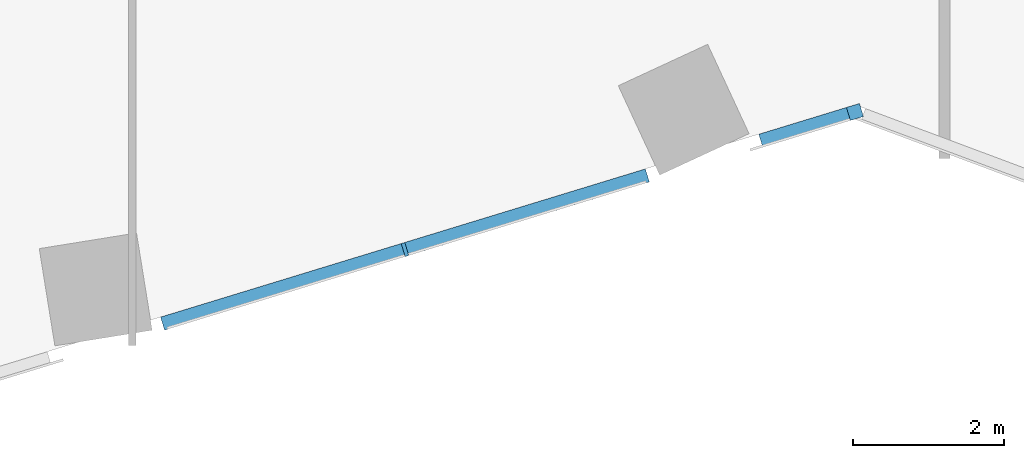
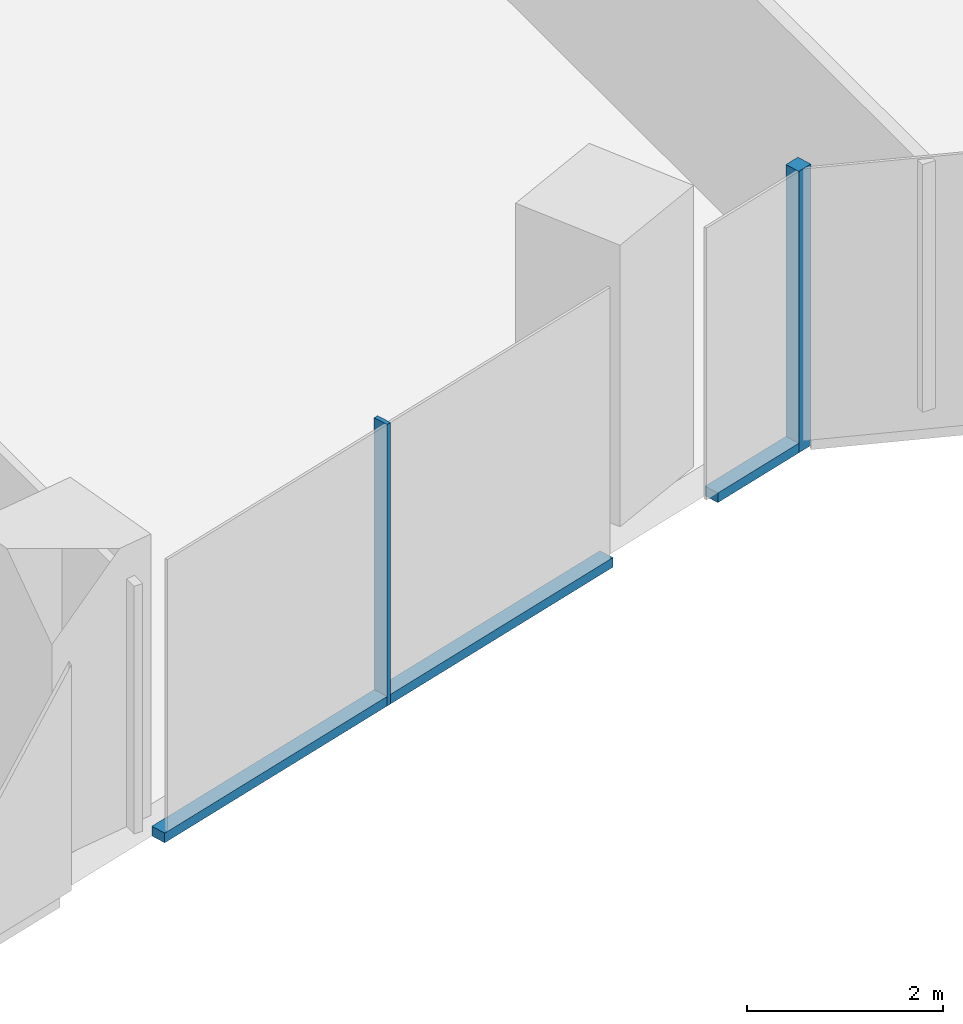
# One storey, part 6 of 31: 4 members, 1 element without a shape of its own.
"""IFC4 building model written with IfcOpenShell, lengths in metres."""

import ifcopenshell
import ifcopenshell.guid

model = None  # the IFC model being written
_history = None  # IfcOwnerHistory: only IFC2X3 demands one
_inside = {}  # id of a spatial element -> (the spatial element, [elements in it])
_under = {}  # id of a project, library or spatial element -> (it, [spatial elements below it])
_declared = {}  # id of a project -> (the project, [libraries it declares])
_typed = {}  # id of a type object -> (the type object, [elements of that type])
_made_of = {}  # id of a material, layer set ... -> (it, [elements and type objects made of it])


def new_model(schema):
    """Start an empty IFC model of exactly this schema.

    Asked for "IFC4X3", IfcOpenShell would pick the latest addendum, in which some entities
    have other attributes; the version numbers below select the first issue.
    IFC2X3 requires an IfcOwnerHistory on every rooted entity: one is made here for all.
    """
    global model, _history
    if schema == "IFC4X3":
        model = ifcopenshell.file(schema_version=(4, 3, 0, 0))
    else:
        model = ifcopenshell.file(schema=schema)
    _inside.clear()
    _under.clear()
    _declared.clear()
    _typed.clear()
    _made_of.clear()
    _history = None
    if model.schema == "IFC2X3":
        org = make("IfcOrganization", Name="unknown")
        user = make(
            "IfcPersonAndOrganization",
            ThePerson=make("IfcPerson", FamilyName="unknown"),
            TheOrganization=org,
        )
        app = make(
            "IfcApplication",
            ApplicationDeveloper=org,
            Version="unknown",
            ApplicationFullName="unknown",
            ApplicationIdentifier="unknown",
        )
        _history = make(
            "IfcOwnerHistory",
            OwningUser=user,
            OwningApplication=app,
            ChangeAction="ADDED",
            CreationDate=0,
        )
    return model


def make(cls, **values):
    """One entity of the class cls with the attributes given. An attribute that is None is left unset."""
    return model.create_entity(
        cls, **{name: value for name, value in values.items() if value is not None}
    )


def rooted(cls, **values):
    """An entity with a GlobalId (a new one), such as an element, a storey or a relation."""
    return make(cls, GlobalId=ifcopenshell.guid.new(), OwnerHistory=_history, **values)


def si_unit(unit_type, name, prefix=None):
    """IfcSIUnit, for example si_unit("LENGTHUNIT", "METRE", prefix="MILLI")."""
    return make("IfcSIUnit", UnitType=unit_type, Prefix=prefix, Name=name)


def assignment(units):
    """IfcUnitAssignment: the units of a project."""
    return None if units is None else make("IfcUnitAssignment", Units=units)


def point(xyz):
    """IfcCartesianPoint."""
    return None if xyz is None else make("IfcCartesianPoint", Coordinates=xyz)


def direction(xyz):
    """IfcDirection."""
    return None if xyz is None else make("IfcDirection", DirectionRatios=xyz)


def frame(location, z_axis=None, x_axis=None):
    """IfcAxis2Placement3D, a coordinate frame: its origin and axes. An axis left out is left unset."""
    return make(
        "IfcAxis2Placement3D",
        Location=point(location),
        Axis=direction(z_axis),
        RefDirection=direction(x_axis),
    )


def frame_2d(location, x_axis=None):
    """IfcAxis2Placement2D, a coordinate frame in the plane: its origin and x axis."""
    return make(
        "IfcAxis2Placement2D", Location=point(location), RefDirection=direction(x_axis)
    )


def origin():
    """The frame at (0, 0, 0) with its axes left unset."""
    return frame((0.0, 0.0, 0.0))


def origin_2d():
    """The frame at (0, 0) in the plane with its x axis left unset."""
    return frame_2d((0.0, 0.0))


def place(relative_to, where):
    """IfcLocalPlacement: puts the frame where relative to a parent placement (None: the world)."""
    return make(
        "IfcLocalPlacement", PlacementRelTo=relative_to, RelativePlacement=where
    )


def context(
    kind, dimensions, precision=None, world=None, true_north=None, identifier=None
):
    """IfcGeometricRepresentationContext, for example the 3D "Model" context."""
    return make(
        "IfcGeometricRepresentationContext",
        ContextIdentifier=identifier,
        ContextType=kind,
        CoordinateSpaceDimension=dimensions,
        Precision=precision,
        WorldCoordinateSystem=world,
        TrueNorth=true_north,
    )


def subcontext(parent, identifier, kind, view, scale=None):
    """IfcGeometricRepresentationSubContext, for example "Body" below "Model"."""
    return make(
        "IfcGeometricRepresentationSubContext",
        ContextIdentifier=identifier,
        ContextType=kind,
        ParentContext=parent,
        TargetScale=scale,
        TargetView=view,
    )


def project(units=None, contexts=None):
    """IfcProject with its units and contexts."""
    return rooted(
        "IfcProject",
        Name="project",
        RepresentationContexts=contexts,
        UnitsInContext=assignment(units),
    )


def spatial(cls, under=None, at=None, **own):
    """A site, building, storey or space (cls), placed at a placement, below another one or the project."""
    s = rooted(cls, ObjectPlacement=at, **own)
    if under is not None:
        _under.setdefault(under.id(), (under, []))[1].append(s)
    return s


def profile(cls, at=None, kind="AREA", **sizes):
    """A parametric profile (cls). Its sizes go by their IFC names, for example OverallWidth=200.0."""
    return make(cls, ProfileType=kind, Position=at, **sizes)


def rectangle(**sizes):
    """IfcRectangleProfileDef."""
    return profile("IfcRectangleProfileDef", **sizes)


def extrude(swept, where, along, depth):
    """IfcExtrudedAreaSolid: the profile swept, set in the frame where, extruded along a direction by depth."""
    return make(
        "IfcExtrudedAreaSolid",
        SweptArea=swept,
        Position=where,
        ExtrudedDirection=direction(along),
        Depth=depth,
    )


def shape(context_of_items, identifier, shape_type, items):
    """IfcShapeRepresentation: the items that make up one representation, for example the "Body"."""
    return make(
        "IfcShapeRepresentation",
        ContextOfItems=context_of_items,
        RepresentationIdentifier=identifier,
        RepresentationType=shape_type,
        Items=items,
    )


def material(Name=None, Category=None):
    """IfcMaterial."""
    return make("IfcMaterial", Name=Name, Category=Category)


def material_profile(
    of_material, cross_section, Name=None, Category=None, Priority=None
):
    """IfcMaterialProfile: a cross section and its material."""
    return make(
        "IfcMaterialProfile",
        Name=Name,
        Material=of_material,
        Profile=cross_section,
        Priority=Priority,
        Category=Category,
    )


def profile_set(profiles, Name=None, composite=None):
    """IfcMaterialProfileSet."""
    return make(
        "IfcMaterialProfileSet",
        Name=Name,
        MaterialProfiles=profiles,
        CompositeProfile=composite,
    )


def made_of(thing, what):
    """Note that an element or type object is made of a material, layer set ...; save() writes the relation."""
    if what is not None:
        _made_of.setdefault(what.id(), (what, []))[1].append(thing)
    return thing


def type_object(cls, material=None, **own):
    """A type object (cls), such as IfcWallType, which elements share."""
    return made_of(rooted(cls, **own), material)


def element(
    cls,
    number,
    at=None,
    inside=None,
    cuts=None,
    type_object=None,
    material=None,
    context=None,
    identifier="Body",
    shape_type=None,
    held_by="IfcProductDefinitionShape",
    body=None,
    shapes=None,
    **own,
):
    """One element of the class cls, such as IfcWall. Its Tag is "e" and its number.

    at: its placement. inside: the storey or other place that contains it. cuts: it is an
    opening in that element (IfcRelVoidsElement). A single representation is given by context,
    identifier, shape_type and body (its items); several are given by shapes. held_by: the class
    of the entity that holds the representations. save() writes the other relations.
    """
    e = rooted(cls, Tag="e%d" % number, ObjectPlacement=at, **own)
    if body is not None:
        shapes = [shape(context, identifier, shape_type, body)]
    if shapes is not None:
        e.Representation = make(held_by, Representations=shapes)
    if inside is not None:
        _inside.setdefault(inside.id(), (inside, []))[1].append(e)
    if cuts is not None:
        rooted(
            "IfcRelVoidsElement", RelatingBuildingElement=cuts, RelatedOpeningElement=e
        )
    if type_object is not None:
        _typed.setdefault(type_object.id(), (type_object, []))[1].append(e)
    return made_of(e, material)


def aggregate(whole, parts):
    """IfcRelAggregates: a whole, such as a stair, and the parts it consists of."""
    return rooted("IfcRelAggregates", RelatingObject=whole, RelatedObjects=parts)


def save(model, path):
    """Write the relations noted so far, then the file.

    IfcRelAggregates (storeys below a building ...), IfcRelContainedInSpatialStructure (elements
    in a storey), IfcRelDefinesByType, IfcRelAssociatesMaterial and IfcRelDeclares: one each for
    every whole, place, type object, material and project.
    """
    for whole, parts in _under.values():
        aggregate(whole, parts)
    for where, things in _inside.values():
        rooted(
            "IfcRelContainedInSpatialStructure",
            RelatedElements=things,
            RelatingStructure=where,
        )
    for kind, things in _typed.values():
        rooted("IfcRelDefinesByType", RelatedObjects=things, RelatingType=kind)
    for what, things in _made_of.values():
        rooted("IfcRelAssociatesMaterial", RelatedObjects=things, RelatingMaterial=what)
    for by, libraries in _declared.values():
        rooted("IfcRelDeclares", RelatingContext=by, RelatedDefinitions=libraries)
    model.write(path)


model = new_model("IFC4")

# Units and contexts
model_context = context("Model", 3, precision=1e-05, world=origin(), true_north=direction((0.0, 1.0)))
body_context = subcontext(model_context, "Body", "Model", "MODEL_VIEW")
ifc_project = project(units=[si_unit("LENGTHUNIT", "METRE"), si_unit("AREAUNIT", "SQUARE_METRE"), si_unit("VOLUMEUNIT", "CUBIC_METRE"), si_unit("PLANEANGLEUNIT", "RADIAN"), si_unit("MASSUNIT", "GRAM", prefix="KILO")], contexts=[model_context])

# Site, building, storey
site_placement = place(None, origin())
site = spatial("IfcSite", under=ifc_project, at=site_placement, CompositionType="ELEMENT")
building_placement = place(site_placement, origin())
building = spatial("IfcBuilding", under=site, at=building_placement, Name="Orlundy Tower", CompositionType="ELEMENT")
storey_placement = place(building_placement, frame((0.0, 0.0, 84.199951171875)))
storey = spatial("IfcBuildingStorey", under=building, at=storey_placement, Name="L20", CompositionType="ELEMENT", Elevation=84.199951171875)

# Curtain wall, members
ifc_material_1 = material(Name="Aluminium bronze anodised", Category="aluminium")
curtain_wall_type = type_object("IfcCurtainWallType", Name="CW1 wall", PredefinedType="NOTDEFINED", material=ifc_material_1)
curtain_wall_placement = place(storey_placement, origin())
curtain_wall = element("IfcCurtainWall", 1, at=curtain_wall_placement, inside=storey, type_object=curtain_wall_type, Name="CW1 run 017", PredefinedType="NOTDEFINED")
ifc_material_2 = material(Name="Aluminium bronze anodised", Category="aluminium")
ifc_material_profile_1 = material_profile(ifc_material_2, rectangle(XDim=0.179931640625, YDim=0.179931640625, at=origin_2d()), Name="CW1 corner post 180x180")
ifc_profile_set_1 = profile_set([ifc_material_profile_1], Name="Aluminium bronze anodised")
member_type_1 = type_object("IfcMemberType", Name="CW1 corner post 180x180", PredefinedType="MULLION", material=ifc_profile_set_1)
member_1_placement = place(storey_placement, frame((14.739013671875, -26.958984375, -0.39990234375), z_axis=(0.0, 0.0, 1.0), x_axis=(0.292318233228, -0.956321102205, 0.0)))
member_1 = element("IfcMember", 2, at=member_1_placement, type_object=member_type_1, Name="CW1 mullion 49", PredefinedType="MULLION", context=body_context, shape_type="SweptSolid", body=[
    extrude(rectangle(XDim=0.179931640625, YDim=0.179931640625, at=origin_2d()), origin(), (0.0, 0.0, 1.0), 3.5),
])
ifc_material_3 = material(Name="Aluminium bronze anodised", Category="aluminium")
ifc_material_profile_2 = material_profile(ifc_material_3, rectangle(XDim=0.179931640625, YDim=0.050048828125, at=origin_2d()), Name="CW1 mullion 50x180")
ifc_profile_set_2 = profile_set([ifc_material_profile_2], Name="Aluminium bronze anodised")
member_type_2 = type_object("IfcMemberType", Name="CW1 mullion 50x180", PredefinedType="MULLION", material=ifc_profile_set_2)
member_2_placement = place(storey_placement, frame((8.7978515625, -28.775146484375, -0.39990234375), z_axis=(0.0, 0.0, 1.0), x_axis=(0.292318233228, -0.956321102205, 0.0)))
member_2 = element("IfcMember", 3, at=member_2_placement, type_object=member_type_2, Name="CW1 mullion 50", PredefinedType="MULLION", context=body_context, shape_type="SweptSolid", body=[
    extrude(rectangle(XDim=0.179931640625, YDim=0.050048828125, at=origin_2d()), origin(), (0.0, 0.0, 1.0), 3.5),
])
ifc_material_4 = material(Name="Aluminium bronze anodised", Category="aluminium")
ifc_material_profile_3 = material_profile(ifc_material_4, rectangle(XDim=0.179931640625, YDim=0.1201171875, at=origin_2d()), Name="CW1 transom 180x120")
ifc_profile_set_3 = profile_set([ifc_material_profile_3], Name="Aluminium bronze anodised")
member_type_3 = type_object("IfcMemberType", Name="CW1 transom 180x120", PredefinedType="USERDEFINED", material=ifc_profile_set_3)
member_3_placement = place(storey_placement, frame((14.653076171875, -26.9853515625, -0.33984375), z_axis=(-0.956335900786, -0.292269815183, 0.0), x_axis=(0.292269815183, -0.956335900786, 0.0)))
member_3 = element("IfcMember", 4, at=member_3_placement, type_object=member_type_3, Name="CW1 transom", ObjectType="TRANSOM", PredefinedType="USERDEFINED", context=body_context, shape_type="SweptSolid", body=[
    extrude(rectangle(XDim=0.179931640625, YDim=0.1201171875, at=origin_2d()), origin(), (0.0, 0.0, 1.0), 1.20947265625),
])
member_4_placement = place(storey_placement, frame((11.998291015625, -27.796875, -0.33984375), z_axis=(-0.95632778436, -0.292296371619, 0.0), x_axis=(0.292296371619, -0.95632778436, 0.0)))
member_4 = element("IfcMember", 5, at=member_4_placement, type_object=member_type_3, Name="CW1 transom", ObjectType="TRANSOM", PredefinedType="USERDEFINED", context=body_context, shape_type="SweptSolid", body=[
    extrude(rectangle(XDim=0.179931640625, YDim=0.1201171875, at=origin_2d()), origin(), (0.0, 0.0, 1.0), 6.693603515625),
])
aggregate(curtain_wall, [member_1, member_2, member_3, member_4])

save(model, "model.ifc")
